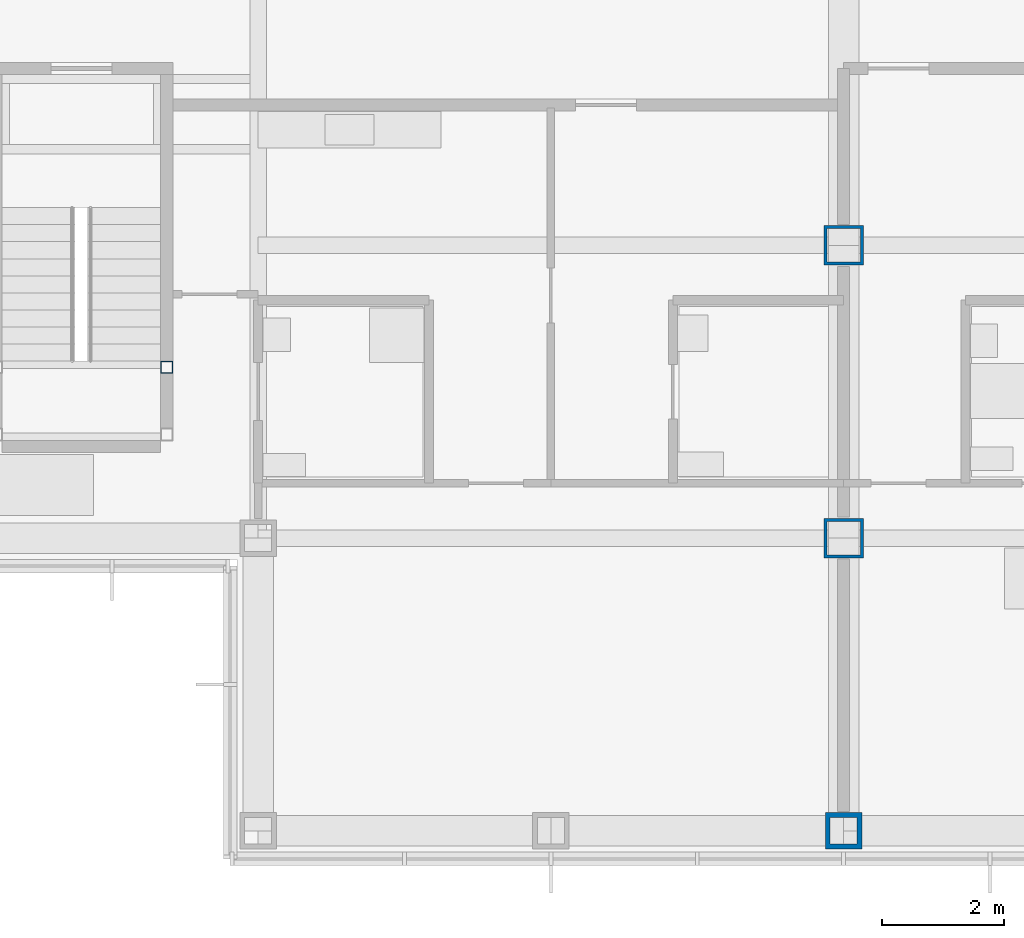
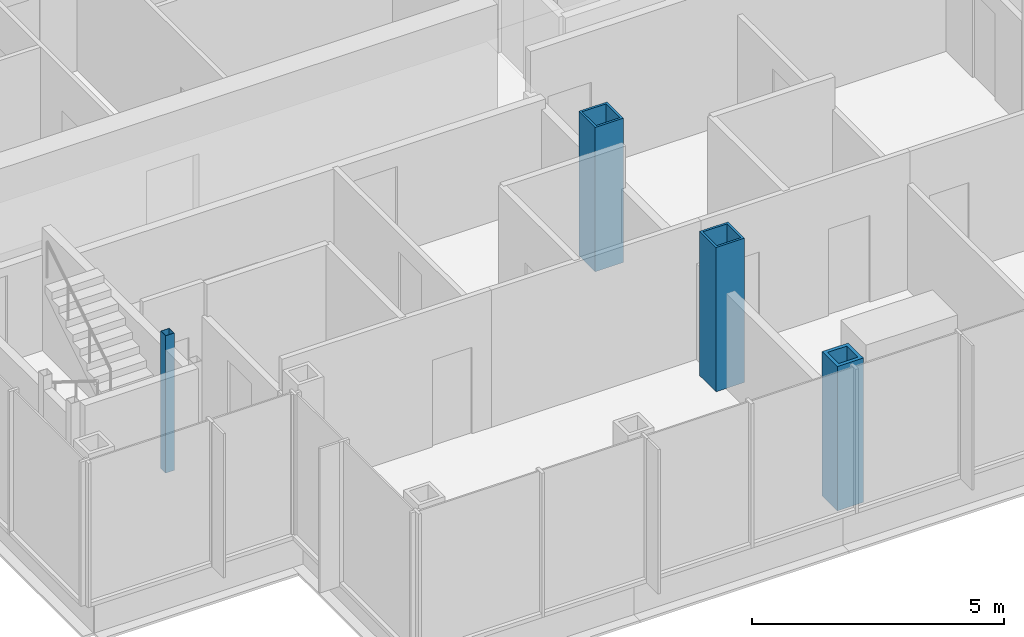
# One storey, part 2 of 19: 4 columns.
"""IFC4 building model written with IfcOpenShell, lengths in metres."""

from ifc_helpers import new_model, si_unit, direction, frame, origin, origin_2d, place, context, subcontext, project, spatial, hollow_rectangle, extrude, material, material_profile, profile_set, type_object, element, save


model = new_model("IFC4")

# Units and contexts
model_context = context("Model", 3, precision=1e-05, world=origin(), true_north=direction((0.0, 1.0)))
body_context = subcontext(model_context, "Body", "Model", "MODEL_VIEW")
ifc_project = project(units=[si_unit("LENGTHUNIT", "METRE"), si_unit("AREAUNIT", "SQUARE_METRE"), si_unit("VOLUMEUNIT", "CUBIC_METRE"), si_unit("PLANEANGLEUNIT", "RADIAN"), si_unit("MASSUNIT", "GRAM", prefix="KILO")], contexts=[model_context])

# Site, building, storey
site_placement = place(None, origin())
site = spatial("IfcSite", under=ifc_project, at=site_placement, CompositionType="ELEMENT")
building_placement = place(site_placement, origin())
building = spatial("IfcBuilding", under=site, at=building_placement, Name="Kvirike Care Tower", CompositionType="ELEMENT")
storey_placement = place(building_placement, frame((0.0, 0.0, 129.5)))
storey = spatial("IfcBuildingStorey", under=building, at=storey_placement, Name="L35", CompositionType="ELEMENT", Elevation=129.5)

# Columns
ifc_material_1 = material(Name="Steel S460", Category="steel")
ifc_material_profile_1 = material_profile(ifc_material_1, hollow_rectangle(XDim=0.60009765625, YDim=0.60009765625, WallThickness=0.080078125, at=origin_2d()), Name="BX 600x600x80")
ifc_profile_set_1 = profile_set([ifc_material_profile_1], Name="Steel S460")
column_type_1 = type_object("IfcColumnType", Name="COLUMN BX 600x600x80", PredefinedType="COLUMN", material=ifc_profile_set_1)
column_1_placement = place(storey_placement, frame((28.800048828125, 14.39990234375, 0.0), z_axis=(0.0, 0.0, 1.0), x_axis=(0.0, 1.0, 0.0)))
element("IfcColumn", 1, at=column_1_placement, inside=storey, type_object=column_type_1, Name="Column D9 L35", PredefinedType="COLUMN", context=body_context, shape_type="SweptSolid", body=[
    extrude(hollow_rectangle(XDim=0.60009765625, YDim=0.60009765625, WallThickness=0.080078125, at=origin_2d()), origin(), (0.0, 0.0, 1.0), 3.5),
])
ifc_material_2 = material(Name="Steel S460", Category="steel")
ifc_material_profile_2 = material_profile(ifc_material_2, hollow_rectangle(XDim=0.64990234375, YDim=0.64990234375, WallThickness=0.050048828125, at=origin_2d()), Name="BX 650x650x50")
ifc_profile_set_2 = profile_set([ifc_material_profile_2], Name="Steel S460")
column_type_2 = type_object("IfcColumnType", Name="COLUMN BX 650x650x50", PredefinedType="COLUMN", material=ifc_profile_set_2)
for number, where, z_axis, x_axis, name in (
    (2, (28.800048828125, 19.199951171875, 0.0), (0.0, 0.0, 1.0), (1.0, 0.0, 0.0), "Column E9 L35"),
    (3, (28.800048828125, 24.0, 0.0), (0.0, 0.0, 1.0), (1.0, 0.0, 0.0), "Column F9 L35"),
):
    element("IfcColumn", number, at=place(storey_placement, frame(where, z_axis=z_axis, x_axis=x_axis)), inside=storey, type_object=column_type_2, Name=name, PredefinedType="COLUMN", context=body_context, shape_type="SweptSolid", body=[
        extrude(hollow_rectangle(XDim=0.64990234375, YDim=0.64990234375, WallThickness=0.050048828125, at=origin_2d()), origin(), (0.0, 0.0, 1.0), 3.5),
    ])
ifc_material_3 = material(Name="Steel S460", Category="steel")
ifc_material_profile_3 = material_profile(ifc_material_3, hollow_rectangle(XDim=0.199951171875, YDim=0.199951171875, WallThickness=0.008056640625, at=origin_2d()), Name="SHS 200x200x8")
ifc_profile_set_3 = profile_set([ifc_material_profile_3], Name="Steel S460")
column_type_3 = type_object("IfcColumnType", Name="STAIR POST SHS 200x200x8", PredefinedType="COLUMN", material=ifc_profile_set_3)
column_2_placement = place(storey_placement, frame((17.699951171875, 22.0, 0.0), z_axis=(0.0, 0.0, 1.0), x_axis=(1.0, 0.0, 0.0)))
element("IfcColumn", 4, at=column_2_placement, inside=storey, type_object=column_type_3, Name="Stair 5 post 4 L35", PredefinedType="COLUMN", context=body_context, shape_type="SweptSolid", body=[
    extrude(hollow_rectangle(XDim=0.199951171875, YDim=0.199951171875, WallThickness=0.008056640625, at=origin_2d()), origin(), (0.0, 0.0, 1.0), 3.330078125),
])

save(model, "model.ifc")
